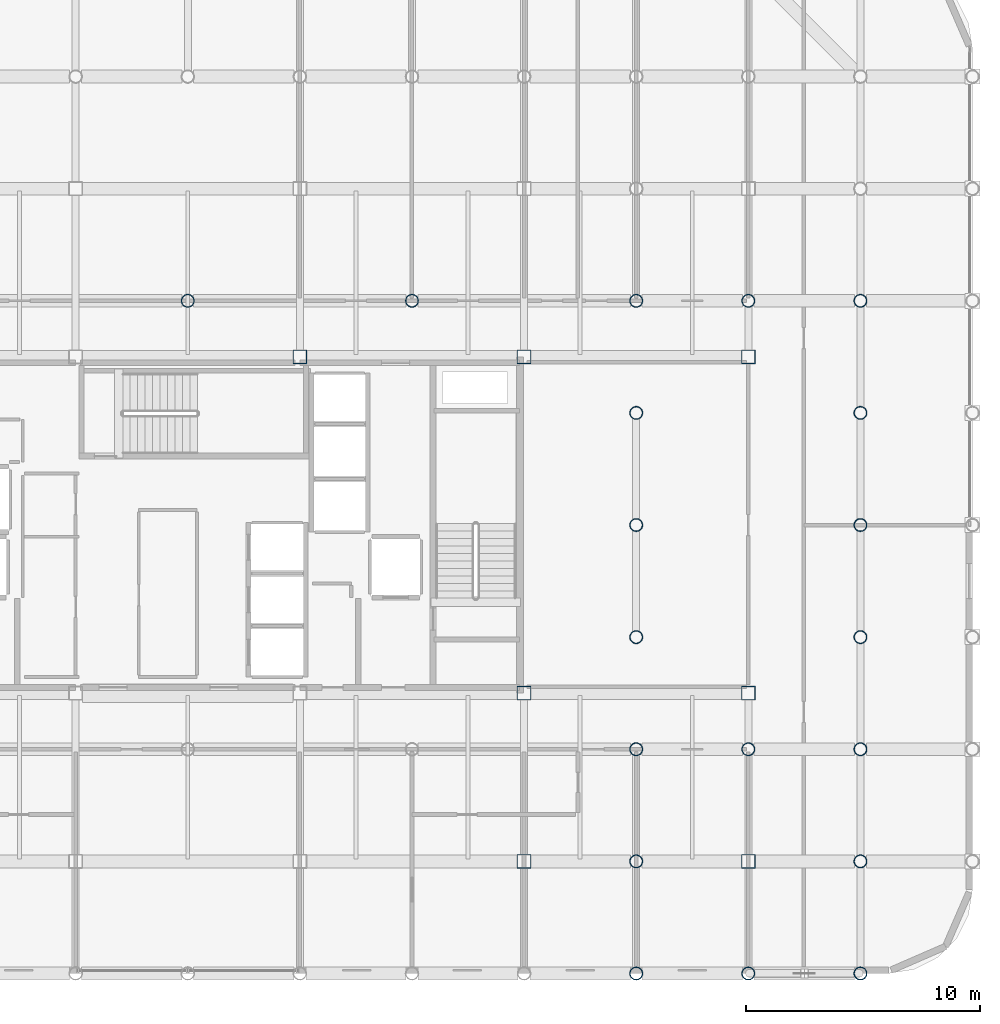
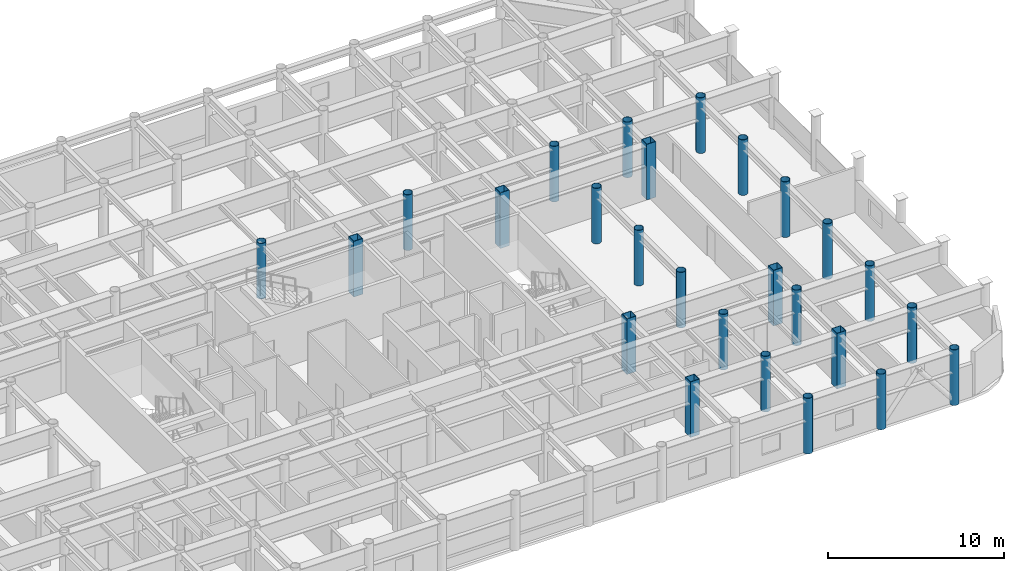
# One storey, part 2 of 27: 26 columns.
"""IFC4 building model written with IfcOpenShell, lengths in metres."""

import ifcopenshell
import ifcopenshell.guid

model = None  # the IFC model being written
_history = None  # IfcOwnerHistory: only IFC2X3 demands one
_inside = {}  # id of a spatial element -> (the spatial element, [elements in it])
_under = {}  # id of a project, library or spatial element -> (it, [spatial elements below it])
_declared = {}  # id of a project -> (the project, [libraries it declares])
_typed = {}  # id of a type object -> (the type object, [elements of that type])
_made_of = {}  # id of a material, layer set ... -> (it, [elements and type objects made of it])


def new_model(schema):
    """Start an empty IFC model of exactly this schema.

    Asked for "IFC4X3", IfcOpenShell would pick the latest addendum, in which some entities
    have other attributes; the version numbers below select the first issue.
    IFC2X3 requires an IfcOwnerHistory on every rooted entity: one is made here for all.
    """
    global model, _history
    if schema == "IFC4X3":
        model = ifcopenshell.file(schema_version=(4, 3, 0, 0))
    else:
        model = ifcopenshell.file(schema=schema)
    _inside.clear()
    _under.clear()
    _declared.clear()
    _typed.clear()
    _made_of.clear()
    _history = None
    if model.schema == "IFC2X3":
        org = make("IfcOrganization", Name="unknown")
        user = make(
            "IfcPersonAndOrganization",
            ThePerson=make("IfcPerson", FamilyName="unknown"),
            TheOrganization=org,
        )
        app = make(
            "IfcApplication",
            ApplicationDeveloper=org,
            Version="unknown",
            ApplicationFullName="unknown",
            ApplicationIdentifier="unknown",
        )
        _history = make(
            "IfcOwnerHistory",
            OwningUser=user,
            OwningApplication=app,
            ChangeAction="ADDED",
            CreationDate=0,
        )
    return model


def make(cls, **values):
    """One entity of the class cls with the attributes given. An attribute that is None is left unset."""
    return model.create_entity(
        cls, **{name: value for name, value in values.items() if value is not None}
    )


def rooted(cls, **values):
    """An entity with a GlobalId (a new one), such as an element, a storey or a relation."""
    return make(cls, GlobalId=ifcopenshell.guid.new(), OwnerHistory=_history, **values)


def si_unit(unit_type, name, prefix=None):
    """IfcSIUnit, for example si_unit("LENGTHUNIT", "METRE", prefix="MILLI")."""
    return make("IfcSIUnit", UnitType=unit_type, Prefix=prefix, Name=name)


def assignment(units):
    """IfcUnitAssignment: the units of a project."""
    return None if units is None else make("IfcUnitAssignment", Units=units)


def point(xyz):
    """IfcCartesianPoint."""
    return None if xyz is None else make("IfcCartesianPoint", Coordinates=xyz)


def direction(xyz):
    """IfcDirection."""
    return None if xyz is None else make("IfcDirection", DirectionRatios=xyz)


def frame(location, z_axis=None, x_axis=None):
    """IfcAxis2Placement3D, a coordinate frame: its origin and axes. An axis left out is left unset."""
    return make(
        "IfcAxis2Placement3D",
        Location=point(location),
        Axis=direction(z_axis),
        RefDirection=direction(x_axis),
    )


def frame_2d(location, x_axis=None):
    """IfcAxis2Placement2D, a coordinate frame in the plane: its origin and x axis."""
    return make(
        "IfcAxis2Placement2D", Location=point(location), RefDirection=direction(x_axis)
    )


def origin():
    """The frame at (0, 0, 0) with its axes left unset."""
    return frame((0.0, 0.0, 0.0))


def origin_2d():
    """The frame at (0, 0) in the plane with its x axis left unset."""
    return frame_2d((0.0, 0.0))


def place(relative_to, where):
    """IfcLocalPlacement: puts the frame where relative to a parent placement (None: the world)."""
    return make(
        "IfcLocalPlacement", PlacementRelTo=relative_to, RelativePlacement=where
    )


def context(
    kind, dimensions, precision=None, world=None, true_north=None, identifier=None
):
    """IfcGeometricRepresentationContext, for example the 3D "Model" context."""
    return make(
        "IfcGeometricRepresentationContext",
        ContextIdentifier=identifier,
        ContextType=kind,
        CoordinateSpaceDimension=dimensions,
        Precision=precision,
        WorldCoordinateSystem=world,
        TrueNorth=true_north,
    )


def subcontext(parent, identifier, kind, view, scale=None):
    """IfcGeometricRepresentationSubContext, for example "Body" below "Model"."""
    return make(
        "IfcGeometricRepresentationSubContext",
        ContextIdentifier=identifier,
        ContextType=kind,
        ParentContext=parent,
        TargetScale=scale,
        TargetView=view,
    )


def project(units=None, contexts=None):
    """IfcProject with its units and contexts."""
    return rooted(
        "IfcProject",
        Name="project",
        RepresentationContexts=contexts,
        UnitsInContext=assignment(units),
    )


def spatial(cls, under=None, at=None, **own):
    """A site, building, storey or space (cls), placed at a placement, below another one or the project."""
    s = rooted(cls, ObjectPlacement=at, **own)
    if under is not None:
        _under.setdefault(under.id(), (under, []))[1].append(s)
    return s


def profile(cls, at=None, kind="AREA", **sizes):
    """A parametric profile (cls). Its sizes go by their IFC names, for example OverallWidth=200.0."""
    return make(cls, ProfileType=kind, Position=at, **sizes)


def hollow_rectangle(**sizes):
    """IfcRectangleHollowProfileDef."""
    return profile("IfcRectangleHollowProfileDef", **sizes)


def hollow_circle(**sizes):
    """IfcCircleHollowProfileDef."""
    return profile("IfcCircleHollowProfileDef", **sizes)


def extrude(swept, where, along, depth):
    """IfcExtrudedAreaSolid: the profile swept, set in the frame where, extruded along a direction by depth."""
    return make(
        "IfcExtrudedAreaSolid",
        SweptArea=swept,
        Position=where,
        ExtrudedDirection=direction(along),
        Depth=depth,
    )


def shape(context_of_items, identifier, shape_type, items):
    """IfcShapeRepresentation: the items that make up one representation, for example the "Body"."""
    return make(
        "IfcShapeRepresentation",
        ContextOfItems=context_of_items,
        RepresentationIdentifier=identifier,
        RepresentationType=shape_type,
        Items=items,
    )


def material(Name=None, Category=None):
    """IfcMaterial."""
    return make("IfcMaterial", Name=Name, Category=Category)


def material_profile(
    of_material, cross_section, Name=None, Category=None, Priority=None
):
    """IfcMaterialProfile: a cross section and its material."""
    return make(
        "IfcMaterialProfile",
        Name=Name,
        Material=of_material,
        Profile=cross_section,
        Priority=Priority,
        Category=Category,
    )


def profile_set(profiles, Name=None, composite=None):
    """IfcMaterialProfileSet."""
    return make(
        "IfcMaterialProfileSet",
        Name=Name,
        MaterialProfiles=profiles,
        CompositeProfile=composite,
    )


def made_of(thing, what):
    """Note that an element or type object is made of a material, layer set ...; save() writes the relation."""
    if what is not None:
        _made_of.setdefault(what.id(), (what, []))[1].append(thing)
    return thing


def type_object(cls, material=None, **own):
    """A type object (cls), such as IfcWallType, which elements share."""
    return made_of(rooted(cls, **own), material)


def element(
    cls,
    number,
    at=None,
    inside=None,
    cuts=None,
    type_object=None,
    material=None,
    context=None,
    identifier="Body",
    shape_type=None,
    held_by="IfcProductDefinitionShape",
    body=None,
    shapes=None,
    **own,
):
    """One element of the class cls, such as IfcWall. Its Tag is "e" and its number.

    at: its placement. inside: the storey or other place that contains it. cuts: it is an
    opening in that element (IfcRelVoidsElement). A single representation is given by context,
    identifier, shape_type and body (its items); several are given by shapes. held_by: the class
    of the entity that holds the representations. save() writes the other relations.
    """
    e = rooted(cls, Tag="e%d" % number, ObjectPlacement=at, **own)
    if body is not None:
        shapes = [shape(context, identifier, shape_type, body)]
    if shapes is not None:
        e.Representation = make(held_by, Representations=shapes)
    if inside is not None:
        _inside.setdefault(inside.id(), (inside, []))[1].append(e)
    if cuts is not None:
        rooted(
            "IfcRelVoidsElement", RelatingBuildingElement=cuts, RelatedOpeningElement=e
        )
    if type_object is not None:
        _typed.setdefault(type_object.id(), (type_object, []))[1].append(e)
    return made_of(e, material)


def aggregate(whole, parts):
    """IfcRelAggregates: a whole, such as a stair, and the parts it consists of."""
    return rooted("IfcRelAggregates", RelatingObject=whole, RelatedObjects=parts)


def save(model, path):
    """Write the relations noted so far, then the file.

    IfcRelAggregates (storeys below a building ...), IfcRelContainedInSpatialStructure (elements
    in a storey), IfcRelDefinesByType, IfcRelAssociatesMaterial and IfcRelDeclares: one each for
    every whole, place, type object, material and project.
    """
    for whole, parts in _under.values():
        aggregate(whole, parts)
    for where, things in _inside.values():
        rooted(
            "IfcRelContainedInSpatialStructure",
            RelatedElements=things,
            RelatingStructure=where,
        )
    for kind, things in _typed.values():
        rooted("IfcRelDefinesByType", RelatedObjects=things, RelatingType=kind)
    for what, things in _made_of.values():
        rooted("IfcRelAssociatesMaterial", RelatedObjects=things, RelatingMaterial=what)
    for by, libraries in _declared.values():
        rooted("IfcRelDeclares", RelatingContext=by, RelatedDefinitions=libraries)
    model.write(path)


model = new_model("IFC4")

# Units and contexts
model_context = context("Model", 3, precision=1e-05, world=origin(), true_north=direction((0.0, 1.0)))
body_context = subcontext(model_context, "Body", "Model", "MODEL_VIEW")
ifc_project = project(units=[si_unit("LENGTHUNIT", "METRE"), si_unit("AREAUNIT", "SQUARE_METRE"), si_unit("VOLUMEUNIT", "CUBIC_METRE"), si_unit("PLANEANGLEUNIT", "RADIAN"), si_unit("MASSUNIT", "GRAM", prefix="KILO")], contexts=[model_context])

# Site, building, storey
site_placement = place(None, origin())
site = spatial("IfcSite", under=ifc_project, at=site_placement, CompositionType="ELEMENT")
building_placement = place(site_placement, origin())
building = spatial("IfcBuilding", under=site, at=building_placement, Name="Kallvorn Hotel Tower", CompositionType="ELEMENT")
storey_placement = place(building_placement, frame((0.0, 0.0, 245.39990234375)))
storey = spatial("IfcBuildingStorey", under=building, at=storey_placement, Name="L61", CompositionType="ELEMENT", Elevation=245.39990234375)

# Columns
ifc_material_1 = material(Name="Structural steel S355J2H", Category="steel")
ifc_material_profile_1 = material_profile(ifc_material_1, hollow_circle(Radius=0.279541015625, WallThickness=0.02490234375, at=origin_2d()), Name="CHS 559x25")
ifc_profile_set_1 = profile_set([ifc_material_profile_1], Name="Structural steel S355J2H")
column_type_1 = type_object("IfcColumnType", Name="COL_CHS_559", PredefinedType="COLUMN", material=ifc_profile_set_1)
for number, where, z_axis, x_axis, name in (
    (1, (0.0, 9.60009765625, 0.0), (0.0, 0.0, 1.0), (1.0, 0.0, 0.0), "L61 Exoskeleton Column EC38"),
    (2, (9.60009765625, 9.60009765625, 0.0), (0.0, 0.0, 1.0), (1.0, 0.0, 0.0), "L61 Exoskeleton Column EC46"),
    (3, (19.199951171875, -19.199951171875, 0.0), (0.0, 0.0, 1.0), (1.0, 0.0, 0.0), "L61 Exoskeleton Column EC52"),
    (4, (19.199951171875, -14.39990234375, 0.0), (0.0, 0.0, 1.0), (1.0, 0.0, 0.0), "L61 Exoskeleton Column EC53"),
    (5, (19.199951171875, -9.60009765625, 0.0), (0.0, 0.0, 1.0), (1.0, 0.0, 0.0), "L61 Exoskeleton Column EC54"),
    (6, (19.199951171875, -4.800048828125, 0.0), (0.0, 0.0, 1.0), (1.0, 0.0, 0.0), "L61 Exoskeleton Column EC55"),
    (7, (19.199951171875, 0.0, 0.0), (0.0, 0.0, 1.0), (1.0, 0.0, 0.0), "L61 Exoskeleton Column EC56"),
    (8, (19.199951171875, 4.800048828125, 0.0), (0.0, 0.0, 1.0), (1.0, 0.0, 0.0), "L61 Exoskeleton Column EC57"),
    (9, (19.199951171875, 9.60009765625, 0.0), (0.0, 0.0, 1.0), (1.0, 0.0, 0.0), "L61 Exoskeleton Column EC58"),
    (10, (24.0, -19.199951171875, 0.0), (0.0, 0.0, 1.0), (1.0, 0.0, 0.0), "L61 Exoskeleton Column EC62"),
    (11, (24.0, -9.60009765625, 0.0), (0.0, 0.0, 1.0), (1.0, 0.0, 0.0), "L61 Exoskeleton Column EC63"),
    (12, (24.0, 9.60009765625, 0.0), (0.0, 0.0, 1.0), (1.0, 0.0, 0.0), "L61 Exoskeleton Column EC64"),
    (13, (28.800048828125, -19.199951171875, 0.0), (0.0, 0.0, 1.0), (1.0, 0.0, 0.0), "L61 Exoskeleton Column EC67"),
    (14, (28.800048828125, -14.39990234375, 0.0), (0.0, 0.0, 1.0), (1.0, 0.0, 0.0), "L61 Exoskeleton Column EC68"),
    (15, (28.800048828125, -9.60009765625, 0.0), (0.0, 0.0, 1.0), (1.0, 0.0, 0.0), "L61 Exoskeleton Column EC69"),
    (16, (28.800048828125, -4.800048828125, 0.0), (0.0, 0.0, 1.0), (1.0, 0.0, 0.0), "L61 Exoskeleton Column EC70"),
    (17, (28.800048828125, 0.0, 0.0), (0.0, 0.0, 1.0), (1.0, 0.0, 0.0), "L61 Exoskeleton Column EC71"),
    (18, (28.800048828125, 4.800048828125, 0.0), (0.0, 0.0, 1.0), (1.0, 0.0, 0.0), "L61 Exoskeleton Column EC72"),
    (19, (28.800048828125, 9.60009765625, 0.0), (0.0, 0.0, 1.0), (1.0, 0.0, 0.0), "L61 Exoskeleton Column EC73"),
):
    element("IfcColumn", number, at=place(storey_placement, frame(where, z_axis=z_axis, x_axis=x_axis)), inside=storey, type_object=column_type_1, Name=name, PredefinedType="COLUMN", context=body_context, shape_type="SweptSolid", body=[
        extrude(hollow_circle(Radius=0.279541015625, WallThickness=0.02490234375, at=origin_2d()), origin(), (0.0, 0.0, 1.0), 3.85009765625),
    ])
ifc_material_2 = material(Name="Structural steel S355J2H", Category="steel")
ifc_material_profile_2 = material_profile(ifc_material_2, hollow_rectangle(XDim=0.60009765625, YDim=0.60009765625, WallThickness=0.028076171875, at=origin_2d()), Name="RHS 600x600x28")
ifc_profile_set_2 = profile_set([ifc_material_profile_2], Name="Structural steel S355J2H")
column_type_2 = type_object("IfcColumnType", Name="COL_RHS_600", PredefinedType="COLUMN", material=ifc_profile_set_2)
for number, where, z_axis, x_axis, name in (
    (20, (4.800048828125, 7.199951171875, 0.0), (0.0, 0.0, 1.0), (1.0, 0.0, 0.0), "L61 Inner Column IC15"),
    (21, (14.39990234375, -14.39990234375, 0.0), (0.0, 0.0, 1.0), (1.0, 0.0, 0.0), "L61 Inner Column IC17"),
    (22, (14.39990234375, -7.199951171875, 0.0), (0.0, 0.0, 1.0), (1.0, 0.0, 0.0), "L61 Inner Column IC18"),
    (23, (14.39990234375, 7.199951171875, 0.0), (0.0, 0.0, 1.0), (1.0, 0.0, 0.0), "L61 Inner Column IC19"),
    (24, (24.0, -14.39990234375, 0.0), (0.0, 0.0, 1.0), (1.0, 0.0, 0.0), "L61 Inner Column IC21"),
    (25, (24.0, -7.199951171875, 0.0), (0.0, 0.0, 1.0), (1.0, 0.0, 0.0), "L61 Inner Column IC22"),
    (26, (24.0, 7.199951171875, 0.0), (0.0, 0.0, 1.0), (1.0, 0.0, 0.0), "L61 Inner Column IC23"),
):
    element("IfcColumn", number, at=place(storey_placement, frame(where, z_axis=z_axis, x_axis=x_axis)), inside=storey, type_object=column_type_2, Name=name, PredefinedType="COLUMN", context=body_context, shape_type="SweptSolid", body=[
        extrude(hollow_rectangle(XDim=0.60009765625, YDim=0.60009765625, WallThickness=0.028076171875, at=origin_2d()), origin(), (0.0, 0.0, 1.0), 3.85009765625),
    ])

save(model, "model.ifc")
